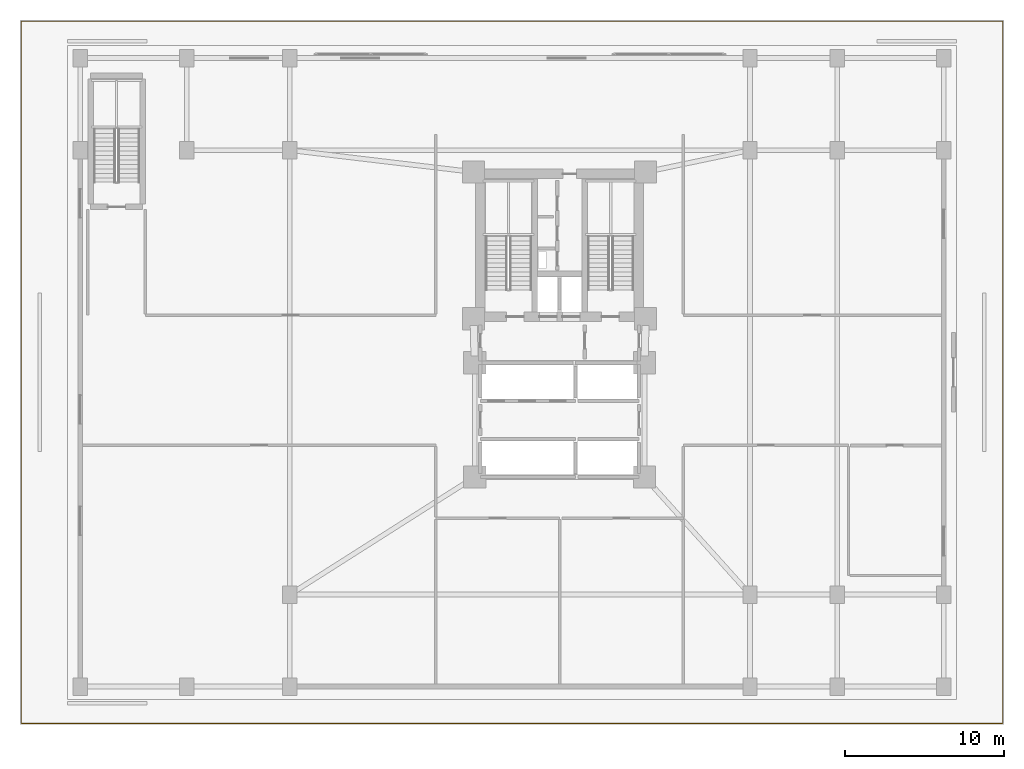
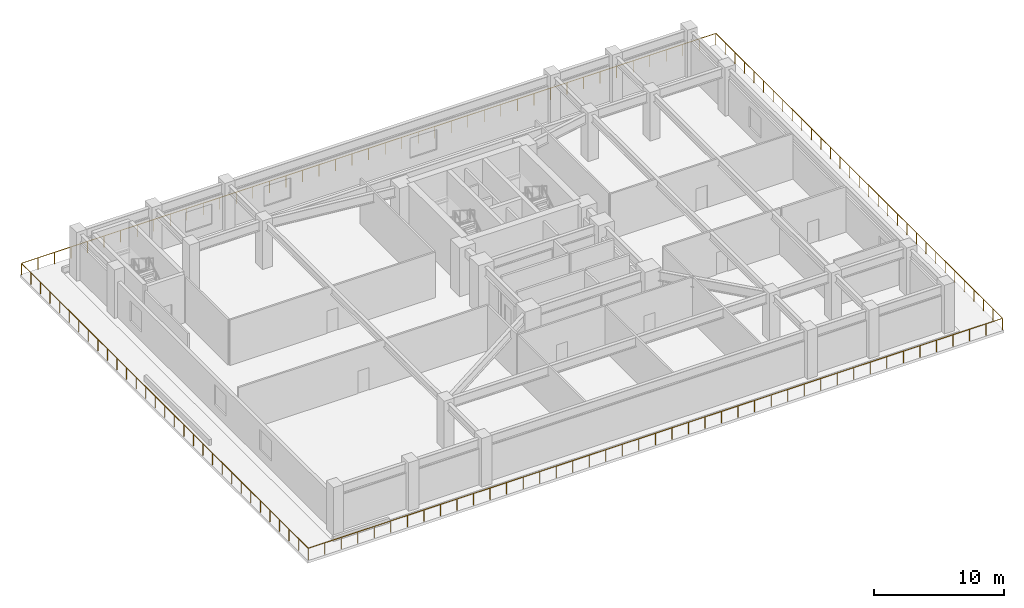
# One storey, part 8 of 9: 1 railing.
"""IFC4 building model written with IfcOpenShell, lengths in metres."""

from ifc_helpers import new_model, si_unit, direction, frame, origin, origin_2d, place, context, subcontext, project, spatial, rectangle, extrude, material, type_object, element, save


model = new_model("IFC4")

# Units and contexts
model_context = context("Model", 3, precision=1e-05, world=origin(), true_north=direction((0.0, 1.0)))
body_context = subcontext(model_context, "Body", "Model", "MODEL_VIEW")
ifc_project = project(units=[si_unit("LENGTHUNIT", "METRE"), si_unit("AREAUNIT", "SQUARE_METRE"), si_unit("VOLUMEUNIT", "CUBIC_METRE"), si_unit("PLANEANGLEUNIT", "RADIAN"), si_unit("MASSUNIT", "GRAM", prefix="KILO")], contexts=[model_context])

# Site, building, storey
site_placement = place(None, origin())
site = spatial("IfcSite", under=ifc_project, at=site_placement, CompositionType="ELEMENT")
building_placement = place(site_placement, origin())
building = spatial("IfcBuilding", under=site, at=building_placement, Name="Varnakorn Sky Granary", CompositionType="ELEMENT")
storey_placement = place(building_placement, frame((0.0, 0.0, 18.39990234375)))
storey = spatial("IfcBuildingStorey", under=building, at=storey_placement, Name="L04", CompositionType="ELEMENT", Elevation=18.39990234375)

# Railing
ifc_material = material(Name="Anodised Bronze Aluminium Alloy 6063-T6", Category="aluminium")
railing_type = type_object("IfcRailingType", Name="RL-BAL-1120", PredefinedType="BALUSTRADE", material=ifc_material)
railing_placement = place(storey_placement, frame((-30.919921875, -22.1201171875, 0.0)))
element("IfcRailing", 1, at=railing_placement, inside=storey, type_object=railing_type, Name="Cascading Terrace Guard Balustrade L04", PredefinedType="BALUSTRADE", context=body_context, shape_type="SweptSolid", body=[
    extrude(rectangle(XDim=0.048095703125, YDim=0.048095703125, at=origin_2d()), frame((0.028076171875, 0.0, 1.09619140625), z_axis=(1.0, 0.0, 0.0), x_axis=(0.0, 1.0, 0.0)), (0.0, 0.0, 1.0), 61.783935546875),
    extrude(rectangle(XDim=0.048095703125, YDim=0.048095703125, at=origin_2d()), frame((61.83984375, 0.028076171875, 1.09619140625), z_axis=(0.0, 1.0, 0.0), x_axis=(-1.0, 0.0, 0.0)), (0.0, 0.0, 1.0), 44.184326171875),
    extrude(rectangle(XDim=0.048095703125, YDim=0.048095703125, at=origin_2d()), frame((61.811767578125, 44.240234375, 1.09619140625), z_axis=(-1.0, 0.0, 0.0), x_axis=(0.0, -1.0, 0.0)), (0.0, 0.0, 1.0), 61.783935546875),
    extrude(rectangle(XDim=0.048095703125, YDim=0.048095703125, at=origin_2d()), frame((0.0, 44.212158203125, 1.09619140625), z_axis=(0.0, -1.0, 0.0), x_axis=(1.0, 0.0, 0.0)), (0.0, 0.0, 1.0), 44.184326171875),
    extrude(rectangle(XDim=0.0419921875, YDim=0.0419921875, at=origin_2d()), origin(), (0.0, 0.0, 1.0), 1.068115234375),
    extrude(rectangle(XDim=0.0419921875, YDim=0.0419921875, at=origin_2d()), frame((1.472412109375, 0.0, 0.0)), (0.0, 0.0, 1.0), 1.068115234375),
    extrude(rectangle(XDim=0.0419921875, YDim=0.0419921875, at=origin_2d()), frame((2.94482421875, 0.0, 0.0)), (0.0, 0.0, 1.0), 1.068115234375),
    extrude(rectangle(XDim=0.0419921875, YDim=0.0419921875, at=origin_2d()), frame((4.417236328125, 0.0, 0.0)), (0.0, 0.0, 1.0), 1.068115234375),
    extrude(rectangle(XDim=0.0419921875, YDim=0.0419921875, at=origin_2d()), frame((5.889404296875, 0.0, 0.0)), (0.0, 0.0, 1.0), 1.068115234375),
    extrude(rectangle(XDim=0.0419921875, YDim=0.0419921875, at=origin_2d()), frame((7.36181640625, 0.0, 0.0)), (0.0, 0.0, 1.0), 1.068115234375),
    extrude(rectangle(XDim=0.0419921875, YDim=0.0419921875, at=origin_2d()), frame((8.834228515625, 0.0, 0.0)), (0.0, 0.0, 1.0), 1.068115234375),
    extrude(rectangle(XDim=0.0419921875, YDim=0.0419921875, at=origin_2d()), frame((10.306640625, 0.0, 0.0)), (0.0, 0.0, 1.0), 1.068115234375),
    extrude(rectangle(XDim=0.0419921875, YDim=0.0419921875, at=origin_2d()), frame((11.779052734375, 0.0, 0.0)), (0.0, 0.0, 1.0), 1.068115234375),
    extrude(rectangle(XDim=0.0419921875, YDim=0.0419921875, at=origin_2d()), frame((13.25146484375, 0.0, 0.0)), (0.0, 0.0, 1.0), 1.068115234375),
    extrude(rectangle(XDim=0.0419921875, YDim=0.0419921875, at=origin_2d()), frame((14.723876953125, 0.0, 0.0)), (0.0, 0.0, 1.0), 1.068115234375),
    extrude(rectangle(XDim=0.0419921875, YDim=0.0419921875, at=origin_2d()), frame((16.196044921875, 0.0, 0.0)), (0.0, 0.0, 1.0), 1.068115234375),
    extrude(rectangle(XDim=0.0419921875, YDim=0.0419921875, at=origin_2d()), frame((17.66845703125, 0.0, 0.0)), (0.0, 0.0, 1.0), 1.068115234375),
    extrude(rectangle(XDim=0.0419921875, YDim=0.0419921875, at=origin_2d()), frame((19.140869140625, 0.0, 0.0)), (0.0, 0.0, 1.0), 1.068115234375),
    extrude(rectangle(XDim=0.0419921875, YDim=0.0419921875, at=origin_2d()), frame((20.61328125, 0.0, 0.0)), (0.0, 0.0, 1.0), 1.068115234375),
    extrude(rectangle(XDim=0.0419921875, YDim=0.0419921875, at=origin_2d()), frame((22.085693359375, 0.0, 0.0)), (0.0, 0.0, 1.0), 1.068115234375),
    extrude(rectangle(XDim=0.0419921875, YDim=0.0419921875, at=origin_2d()), frame((23.55810546875, 0.0, 0.0)), (0.0, 0.0, 1.0), 1.068115234375),
    extrude(rectangle(XDim=0.0419921875, YDim=0.0419921875, at=origin_2d()), frame((25.030517578125, 0.0, 0.0)), (0.0, 0.0, 1.0), 1.068115234375),
    extrude(rectangle(XDim=0.0419921875, YDim=0.0419921875, at=origin_2d()), frame((26.502685546875, 0.0, 0.0)), (0.0, 0.0, 1.0), 1.068115234375),
    extrude(rectangle(XDim=0.0419921875, YDim=0.0419921875, at=origin_2d()), frame((27.97509765625, 0.0, 0.0)), (0.0, 0.0, 1.0), 1.068115234375),
    extrude(rectangle(XDim=0.0419921875, YDim=0.0419921875, at=origin_2d()), frame((29.447509765625, 0.0, 0.0)), (0.0, 0.0, 1.0), 1.068115234375),
    extrude(rectangle(XDim=0.0419921875, YDim=0.0419921875, at=origin_2d()), frame((30.919921875, 0.0, 0.0)), (0.0, 0.0, 1.0), 1.068115234375),
    extrude(rectangle(XDim=0.0419921875, YDim=0.0419921875, at=origin_2d()), frame((32.392333984375, 0.0, 0.0)), (0.0, 0.0, 1.0), 1.068115234375),
    extrude(rectangle(XDim=0.0419921875, YDim=0.0419921875, at=origin_2d()), frame((33.86474609375, 0.0, 0.0)), (0.0, 0.0, 1.0), 1.068115234375),
    extrude(rectangle(XDim=0.0419921875, YDim=0.0419921875, at=origin_2d()), frame((35.337158203125, 0.0, 0.0)), (0.0, 0.0, 1.0), 1.068115234375),
    extrude(rectangle(XDim=0.0419921875, YDim=0.0419921875, at=origin_2d()), frame((36.809326171875, 0.0, 0.0)), (0.0, 0.0, 1.0), 1.068115234375),
    extrude(rectangle(XDim=0.0419921875, YDim=0.0419921875, at=origin_2d()), frame((38.28173828125, 0.0, 0.0)), (0.0, 0.0, 1.0), 1.068115234375),
    extrude(rectangle(XDim=0.0419921875, YDim=0.0419921875, at=origin_2d()), frame((39.754150390625, 0.0, 0.0)), (0.0, 0.0, 1.0), 1.068115234375),
    extrude(rectangle(XDim=0.0419921875, YDim=0.0419921875, at=origin_2d()), frame((41.2265625, 0.0, 0.0)), (0.0, 0.0, 1.0), 1.068115234375),
    extrude(rectangle(XDim=0.0419921875, YDim=0.0419921875, at=origin_2d()), frame((42.698974609375, 0.0, 0.0)), (0.0, 0.0, 1.0), 1.068115234375),
    extrude(rectangle(XDim=0.0419921875, YDim=0.0419921875, at=origin_2d()), frame((44.17138671875, 0.0, 0.0)), (0.0, 0.0, 1.0), 1.068115234375),
    extrude(rectangle(XDim=0.0419921875, YDim=0.0419921875, at=origin_2d()), frame((45.643798828125, 0.0, 0.0)), (0.0, 0.0, 1.0), 1.068115234375),
    extrude(rectangle(XDim=0.0419921875, YDim=0.0419921875, at=origin_2d()), frame((47.115966796875, 0.0, 0.0)), (0.0, 0.0, 1.0), 1.068115234375),
    extrude(rectangle(XDim=0.0419921875, YDim=0.0419921875, at=origin_2d()), frame((48.58837890625, 0.0, 0.0)), (0.0, 0.0, 1.0), 1.068115234375),
    extrude(rectangle(XDim=0.0419921875, YDim=0.0419921875, at=origin_2d()), frame((50.060791015625, 0.0, 0.0)), (0.0, 0.0, 1.0), 1.068115234375),
    extrude(rectangle(XDim=0.0419921875, YDim=0.0419921875, at=origin_2d()), frame((51.533203125, 0.0, 0.0)), (0.0, 0.0, 1.0), 1.068115234375),
    extrude(rectangle(XDim=0.0419921875, YDim=0.0419921875, at=origin_2d()), frame((53.005615234375, 0.0, 0.0)), (0.0, 0.0, 1.0), 1.068115234375),
    extrude(rectangle(XDim=0.0419921875, YDim=0.0419921875, at=origin_2d()), frame((54.47802734375, 0.0, 0.0)), (0.0, 0.0, 1.0), 1.068115234375),
    extrude(rectangle(XDim=0.0419921875, YDim=0.0419921875, at=origin_2d()), frame((55.950439453125, 0.0, 0.0)), (0.0, 0.0, 1.0), 1.068115234375),
    extrude(rectangle(XDim=0.0419921875, YDim=0.0419921875, at=origin_2d()), frame((57.422607421875, 0.0, 0.0)), (0.0, 0.0, 1.0), 1.068115234375),
    extrude(rectangle(XDim=0.0419921875, YDim=0.0419921875, at=origin_2d()), frame((58.89501953125, 0.0, 0.0)), (0.0, 0.0, 1.0), 1.068115234375),
    extrude(rectangle(XDim=0.0419921875, YDim=0.0419921875, at=origin_2d()), frame((60.367431640625, 0.0, 0.0)), (0.0, 0.0, 1.0), 1.068115234375),
    extrude(rectangle(XDim=0.0419921875, YDim=0.0419921875, at=origin_2d()), frame((61.83984375, 0.0, 0.0)), (0.0, 0.0, 1.0), 1.068115234375),
    extrude(rectangle(XDim=0.0419921875, YDim=0.0419921875, at=origin_2d()), frame((61.83984375, 1.474609375, 0.0)), (0.0, 0.0, 1.0), 1.068115234375),
    extrude(rectangle(XDim=0.0419921875, YDim=0.0419921875, at=origin_2d()), frame((61.83984375, 2.949462890625, 0.0)), (0.0, 0.0, 1.0), 1.068115234375),
    extrude(rectangle(XDim=0.0419921875, YDim=0.0419921875, at=origin_2d()), frame((61.83984375, 4.424072265625, 0.0)), (0.0, 0.0, 1.0), 1.068115234375),
    extrude(rectangle(XDim=0.0419921875, YDim=0.0419921875, at=origin_2d()), frame((61.83984375, 5.898681640625, 0.0)), (0.0, 0.0, 1.0), 1.068115234375),
    extrude(rectangle(XDim=0.0419921875, YDim=0.0419921875, at=origin_2d()), frame((61.83984375, 7.373291015625, 0.0)), (0.0, 0.0, 1.0), 1.068115234375),
    extrude(rectangle(XDim=0.0419921875, YDim=0.0419921875, at=origin_2d()), frame((61.83984375, 8.84814453125, 0.0)), (0.0, 0.0, 1.0), 1.068115234375),
    extrude(rectangle(XDim=0.0419921875, YDim=0.0419921875, at=origin_2d()), frame((61.83984375, 10.32275390625, 0.0)), (0.0, 0.0, 1.0), 1.068115234375),
    extrude(rectangle(XDim=0.0419921875, YDim=0.0419921875, at=origin_2d()), frame((61.83984375, 11.79736328125, 0.0)), (0.0, 0.0, 1.0), 1.068115234375),
    extrude(rectangle(XDim=0.0419921875, YDim=0.0419921875, at=origin_2d()), frame((61.83984375, 13.27197265625, 0.0)), (0.0, 0.0, 1.0), 1.068115234375),
    extrude(rectangle(XDim=0.0419921875, YDim=0.0419921875, at=origin_2d()), frame((61.83984375, 14.746826171875, 0.0)), (0.0, 0.0, 1.0), 1.068115234375),
    extrude(rectangle(XDim=0.0419921875, YDim=0.0419921875, at=origin_2d()), frame((61.83984375, 16.221435546875, 0.0)), (0.0, 0.0, 1.0), 1.068115234375),
    extrude(rectangle(XDim=0.0419921875, YDim=0.0419921875, at=origin_2d()), frame((61.83984375, 17.696044921875, 0.0)), (0.0, 0.0, 1.0), 1.068115234375),
    extrude(rectangle(XDim=0.0419921875, YDim=0.0419921875, at=origin_2d()), frame((61.83984375, 19.170654296875, 0.0)), (0.0, 0.0, 1.0), 1.068115234375),
    extrude(rectangle(XDim=0.0419921875, YDim=0.0419921875, at=origin_2d()), frame((61.83984375, 20.6455078125, 0.0)), (0.0, 0.0, 1.0), 1.068115234375),
    extrude(rectangle(XDim=0.0419921875, YDim=0.0419921875, at=origin_2d()), frame((61.83984375, 22.1201171875, 0.0)), (0.0, 0.0, 1.0), 1.068115234375),
    extrude(rectangle(XDim=0.0419921875, YDim=0.0419921875, at=origin_2d()), frame((61.83984375, 23.5947265625, 0.0)), (0.0, 0.0, 1.0), 1.068115234375),
    extrude(rectangle(XDim=0.0419921875, YDim=0.0419921875, at=origin_2d()), frame((61.83984375, 25.069580078125, 0.0)), (0.0, 0.0, 1.0), 1.068115234375),
    extrude(rectangle(XDim=0.0419921875, YDim=0.0419921875, at=origin_2d()), frame((61.83984375, 26.544189453125, 0.0)), (0.0, 0.0, 1.0), 1.068115234375),
    extrude(rectangle(XDim=0.0419921875, YDim=0.0419921875, at=origin_2d()), frame((61.83984375, 28.018798828125, 0.0)), (0.0, 0.0, 1.0), 1.068115234375),
    extrude(rectangle(XDim=0.0419921875, YDim=0.0419921875, at=origin_2d()), frame((61.83984375, 29.493408203125, 0.0)), (0.0, 0.0, 1.0), 1.068115234375),
    extrude(rectangle(XDim=0.0419921875, YDim=0.0419921875, at=origin_2d()), frame((61.83984375, 30.96826171875, 0.0)), (0.0, 0.0, 1.0), 1.068115234375),
    extrude(rectangle(XDim=0.0419921875, YDim=0.0419921875, at=origin_2d()), frame((61.83984375, 32.44287109375, 0.0)), (0.0, 0.0, 1.0), 1.068115234375),
    extrude(rectangle(XDim=0.0419921875, YDim=0.0419921875, at=origin_2d()), frame((61.83984375, 33.91748046875, 0.0)), (0.0, 0.0, 1.0), 1.068115234375),
    extrude(rectangle(XDim=0.0419921875, YDim=0.0419921875, at=origin_2d()), frame((61.83984375, 35.39208984375, 0.0)), (0.0, 0.0, 1.0), 1.068115234375),
    extrude(rectangle(XDim=0.0419921875, YDim=0.0419921875, at=origin_2d()), frame((61.83984375, 36.866943359375, 0.0)), (0.0, 0.0, 1.0), 1.068115234375),
    extrude(rectangle(XDim=0.0419921875, YDim=0.0419921875, at=origin_2d()), frame((61.83984375, 38.341552734375, 0.0)), (0.0, 0.0, 1.0), 1.068115234375),
    extrude(rectangle(XDim=0.0419921875, YDim=0.0419921875, at=origin_2d()), frame((61.83984375, 39.816162109375, 0.0)), (0.0, 0.0, 1.0), 1.068115234375),
    extrude(rectangle(XDim=0.0419921875, YDim=0.0419921875, at=origin_2d()), frame((61.83984375, 41.290771484375, 0.0)), (0.0, 0.0, 1.0), 1.068115234375),
    extrude(rectangle(XDim=0.0419921875, YDim=0.0419921875, at=origin_2d()), frame((61.83984375, 42.765625, 0.0)), (0.0, 0.0, 1.0), 1.068115234375),
    extrude(rectangle(XDim=0.0419921875, YDim=0.0419921875, at=origin_2d()), frame((61.83984375, 44.240234375, 0.0)), (0.0, 0.0, 1.0), 1.068115234375),
    extrude(rectangle(XDim=0.0419921875, YDim=0.0419921875, at=origin_2d()), frame((60.367431640625, 44.240234375, 0.0)), (0.0, 0.0, 1.0), 1.068115234375),
    extrude(rectangle(XDim=0.0419921875, YDim=0.0419921875, at=origin_2d()), frame((58.89501953125, 44.240234375, 0.0)), (0.0, 0.0, 1.0), 1.068115234375),
    extrude(rectangle(XDim=0.0419921875, YDim=0.0419921875, at=origin_2d()), frame((57.422607421875, 44.240234375, 0.0)), (0.0, 0.0, 1.0), 1.068115234375),
    extrude(rectangle(XDim=0.0419921875, YDim=0.0419921875, at=origin_2d()), frame((55.950439453125, 44.240234375, 0.0)), (0.0, 0.0, 1.0), 1.068115234375),
    extrude(rectangle(XDim=0.0419921875, YDim=0.0419921875, at=origin_2d()), frame((54.47802734375, 44.240234375, 0.0)), (0.0, 0.0, 1.0), 1.068115234375),
    extrude(rectangle(XDim=0.0419921875, YDim=0.0419921875, at=origin_2d()), frame((53.005615234375, 44.240234375, 0.0)), (0.0, 0.0, 1.0), 1.068115234375),
    extrude(rectangle(XDim=0.0419921875, YDim=0.0419921875, at=origin_2d()), frame((51.533203125, 44.240234375, 0.0)), (0.0, 0.0, 1.0), 1.068115234375),
    extrude(rectangle(XDim=0.0419921875, YDim=0.0419921875, at=origin_2d()), frame((50.060791015625, 44.240234375, 0.0)), (0.0, 0.0, 1.0), 1.068115234375),
    extrude(rectangle(XDim=0.0419921875, YDim=0.0419921875, at=origin_2d()), frame((48.58837890625, 44.240234375, 0.0)), (0.0, 0.0, 1.0), 1.068115234375),
    extrude(rectangle(XDim=0.0419921875, YDim=0.0419921875, at=origin_2d()), frame((47.115966796875, 44.240234375, 0.0)), (0.0, 0.0, 1.0), 1.068115234375),
    extrude(rectangle(XDim=0.0419921875, YDim=0.0419921875, at=origin_2d()), frame((45.643798828125, 44.240234375, 0.0)), (0.0, 0.0, 1.0), 1.068115234375),
    extrude(rectangle(XDim=0.0419921875, YDim=0.0419921875, at=origin_2d()), frame((44.17138671875, 44.240234375, 0.0)), (0.0, 0.0, 1.0), 1.068115234375),
    extrude(rectangle(XDim=0.0419921875, YDim=0.0419921875, at=origin_2d()), frame((42.698974609375, 44.240234375, 0.0)), (0.0, 0.0, 1.0), 1.068115234375),
    extrude(rectangle(XDim=0.0419921875, YDim=0.0419921875, at=origin_2d()), frame((41.2265625, 44.240234375, 0.0)), (0.0, 0.0, 1.0), 1.068115234375),
    extrude(rectangle(XDim=0.0419921875, YDim=0.0419921875, at=origin_2d()), frame((39.754150390625, 44.240234375, 0.0)), (0.0, 0.0, 1.0), 1.068115234375),
    extrude(rectangle(XDim=0.0419921875, YDim=0.0419921875, at=origin_2d()), frame((38.28173828125, 44.240234375, 0.0)), (0.0, 0.0, 1.0), 1.068115234375),
    extrude(rectangle(XDim=0.0419921875, YDim=0.0419921875, at=origin_2d()), frame((36.809326171875, 44.240234375, 0.0)), (0.0, 0.0, 1.0), 1.068115234375),
    extrude(rectangle(XDim=0.0419921875, YDim=0.0419921875, at=origin_2d()), frame((35.337158203125, 44.240234375, 0.0)), (0.0, 0.0, 1.0), 1.068115234375),
    extrude(rectangle(XDim=0.0419921875, YDim=0.0419921875, at=origin_2d()), frame((33.86474609375, 44.240234375, 0.0)), (0.0, 0.0, 1.0), 1.068115234375),
    extrude(rectangle(XDim=0.0419921875, YDim=0.0419921875, at=origin_2d()), frame((32.392333984375, 44.240234375, 0.0)), (0.0, 0.0, 1.0), 1.068115234375),
    extrude(rectangle(XDim=0.0419921875, YDim=0.0419921875, at=origin_2d()), frame((30.919921875, 44.240234375, 0.0)), (0.0, 0.0, 1.0), 1.068115234375),
    extrude(rectangle(XDim=0.0419921875, YDim=0.0419921875, at=origin_2d()), frame((29.447509765625, 44.240234375, 0.0)), (0.0, 0.0, 1.0), 1.068115234375),
    extrude(rectangle(XDim=0.0419921875, YDim=0.0419921875, at=origin_2d()), frame((27.97509765625, 44.240234375, 0.0)), (0.0, 0.0, 1.0), 1.068115234375),
    extrude(rectangle(XDim=0.0419921875, YDim=0.0419921875, at=origin_2d()), frame((26.502685546875, 44.240234375, 0.0)), (0.0, 0.0, 1.0), 1.068115234375),
    extrude(rectangle(XDim=0.0419921875, YDim=0.0419921875, at=origin_2d()), frame((25.030517578125, 44.240234375, 0.0)), (0.0, 0.0, 1.0), 1.068115234375),
    extrude(rectangle(XDim=0.0419921875, YDim=0.0419921875, at=origin_2d()), frame((23.55810546875, 44.240234375, 0.0)), (0.0, 0.0, 1.0), 1.068115234375),
    extrude(rectangle(XDim=0.0419921875, YDim=0.0419921875, at=origin_2d()), frame((22.085693359375, 44.240234375, 0.0)), (0.0, 0.0, 1.0), 1.068115234375),
    extrude(rectangle(XDim=0.0419921875, YDim=0.0419921875, at=origin_2d()), frame((20.61328125, 44.240234375, 0.0)), (0.0, 0.0, 1.0), 1.068115234375),
    extrude(rectangle(XDim=0.0419921875, YDim=0.0419921875, at=origin_2d()), frame((19.140869140625, 44.240234375, 0.0)), (0.0, 0.0, 1.0), 1.068115234375),
    extrude(rectangle(XDim=0.0419921875, YDim=0.0419921875, at=origin_2d()), frame((17.66845703125, 44.240234375, 0.0)), (0.0, 0.0, 1.0), 1.068115234375),
    extrude(rectangle(XDim=0.0419921875, YDim=0.0419921875, at=origin_2d()), frame((16.196044921875, 44.240234375, 0.0)), (0.0, 0.0, 1.0), 1.068115234375),
    extrude(rectangle(XDim=0.0419921875, YDim=0.0419921875, at=origin_2d()), frame((14.723876953125, 44.240234375, 0.0)), (0.0, 0.0, 1.0), 1.068115234375),
    extrude(rectangle(XDim=0.0419921875, YDim=0.0419921875, at=origin_2d()), frame((13.25146484375, 44.240234375, 0.0)), (0.0, 0.0, 1.0), 1.068115234375),
    extrude(rectangle(XDim=0.0419921875, YDim=0.0419921875, at=origin_2d()), frame((11.779052734375, 44.240234375, 0.0)), (0.0, 0.0, 1.0), 1.068115234375),
    extrude(rectangle(XDim=0.0419921875, YDim=0.0419921875, at=origin_2d()), frame((10.306640625, 44.240234375, 0.0)), (0.0, 0.0, 1.0), 1.068115234375),
    extrude(rectangle(XDim=0.0419921875, YDim=0.0419921875, at=origin_2d()), frame((8.834228515625, 44.240234375, 0.0)), (0.0, 0.0, 1.0), 1.068115234375),
    extrude(rectangle(XDim=0.0419921875, YDim=0.0419921875, at=origin_2d()), frame((7.36181640625, 44.240234375, 0.0)), (0.0, 0.0, 1.0), 1.068115234375),
    extrude(rectangle(XDim=0.0419921875, YDim=0.0419921875, at=origin_2d()), frame((5.889404296875, 44.240234375, 0.0)), (0.0, 0.0, 1.0), 1.068115234375),
    extrude(rectangle(XDim=0.0419921875, YDim=0.0419921875, at=origin_2d()), frame((4.417236328125, 44.240234375, 0.0)), (0.0, 0.0, 1.0), 1.068115234375),
    extrude(rectangle(XDim=0.0419921875, YDim=0.0419921875, at=origin_2d()), frame((2.94482421875, 44.240234375, 0.0)), (0.0, 0.0, 1.0), 1.068115234375),
    extrude(rectangle(XDim=0.0419921875, YDim=0.0419921875, at=origin_2d()), frame((1.472412109375, 44.240234375, 0.0)), (0.0, 0.0, 1.0), 1.068115234375),
    extrude(rectangle(XDim=0.0419921875, YDim=0.0419921875, at=origin_2d()), frame((0.0, 44.240234375, 0.0)), (0.0, 0.0, 1.0), 1.068115234375),
    extrude(rectangle(XDim=0.0419921875, YDim=0.0419921875, at=origin_2d()), frame((0.0, 42.765625, 0.0)), (0.0, 0.0, 1.0), 1.068115234375),
    extrude(rectangle(XDim=0.0419921875, YDim=0.0419921875, at=origin_2d()), frame((0.0, 41.290771484375, 0.0)), (0.0, 0.0, 1.0), 1.068115234375),
    extrude(rectangle(XDim=0.0419921875, YDim=0.0419921875, at=origin_2d()), frame((0.0, 39.816162109375, 0.0)), (0.0, 0.0, 1.0), 1.068115234375),
    extrude(rectangle(XDim=0.0419921875, YDim=0.0419921875, at=origin_2d()), frame((0.0, 38.341552734375, 0.0)), (0.0, 0.0, 1.0), 1.068115234375),
    extrude(rectangle(XDim=0.0419921875, YDim=0.0419921875, at=origin_2d()), frame((0.0, 36.866943359375, 0.0)), (0.0, 0.0, 1.0), 1.068115234375),
    extrude(rectangle(XDim=0.0419921875, YDim=0.0419921875, at=origin_2d()), frame((0.0, 35.39208984375, 0.0)), (0.0, 0.0, 1.0), 1.068115234375),
    extrude(rectangle(XDim=0.0419921875, YDim=0.0419921875, at=origin_2d()), frame((0.0, 33.91748046875, 0.0)), (0.0, 0.0, 1.0), 1.068115234375),
    extrude(rectangle(XDim=0.0419921875, YDim=0.0419921875, at=origin_2d()), frame((0.0, 32.44287109375, 0.0)), (0.0, 0.0, 1.0), 1.068115234375),
    extrude(rectangle(XDim=0.0419921875, YDim=0.0419921875, at=origin_2d()), frame((0.0, 30.96826171875, 0.0)), (0.0, 0.0, 1.0), 1.068115234375),
    extrude(rectangle(XDim=0.0419921875, YDim=0.0419921875, at=origin_2d()), frame((0.0, 29.493408203125, 0.0)), (0.0, 0.0, 1.0), 1.068115234375),
    extrude(rectangle(XDim=0.0419921875, YDim=0.0419921875, at=origin_2d()), frame((0.0, 28.018798828125, 0.0)), (0.0, 0.0, 1.0), 1.068115234375),
    extrude(rectangle(XDim=0.0419921875, YDim=0.0419921875, at=origin_2d()), frame((0.0, 26.544189453125, 0.0)), (0.0, 0.0, 1.0), 1.068115234375),
    extrude(rectangle(XDim=0.0419921875, YDim=0.0419921875, at=origin_2d()), frame((0.0, 25.069580078125, 0.0)), (0.0, 0.0, 1.0), 1.068115234375),
    extrude(rectangle(XDim=0.0419921875, YDim=0.0419921875, at=origin_2d()), frame((0.0, 23.5947265625, 0.0)), (0.0, 0.0, 1.0), 1.068115234375),
    extrude(rectangle(XDim=0.0419921875, YDim=0.0419921875, at=origin_2d()), frame((0.0, 22.1201171875, 0.0)), (0.0, 0.0, 1.0), 1.068115234375),
    extrude(rectangle(XDim=0.0419921875, YDim=0.0419921875, at=origin_2d()), frame((0.0, 20.6455078125, 0.0)), (0.0, 0.0, 1.0), 1.068115234375),
    extrude(rectangle(XDim=0.0419921875, YDim=0.0419921875, at=origin_2d()), frame((0.0, 19.170654296875, 0.0)), (0.0, 0.0, 1.0), 1.068115234375),
    extrude(rectangle(XDim=0.0419921875, YDim=0.0419921875, at=origin_2d()), frame((0.0, 17.696044921875, 0.0)), (0.0, 0.0, 1.0), 1.068115234375),
    extrude(rectangle(XDim=0.0419921875, YDim=0.0419921875, at=origin_2d()), frame((0.0, 16.221435546875, 0.0)), (0.0, 0.0, 1.0), 1.068115234375),
    extrude(rectangle(XDim=0.0419921875, YDim=0.0419921875, at=origin_2d()), frame((0.0, 14.746826171875, 0.0)), (0.0, 0.0, 1.0), 1.068115234375),
    extrude(rectangle(XDim=0.0419921875, YDim=0.0419921875, at=origin_2d()), frame((0.0, 13.27197265625, 0.0)), (0.0, 0.0, 1.0), 1.068115234375),
    extrude(rectangle(XDim=0.0419921875, YDim=0.0419921875, at=origin_2d()), frame((0.0, 11.79736328125, 0.0)), (0.0, 0.0, 1.0), 1.068115234375),
    extrude(rectangle(XDim=0.0419921875, YDim=0.0419921875, at=origin_2d()), frame((0.0, 10.32275390625, 0.0)), (0.0, 0.0, 1.0), 1.068115234375),
    extrude(rectangle(XDim=0.0419921875, YDim=0.0419921875, at=origin_2d()), frame((0.0, 8.84814453125, 0.0)), (0.0, 0.0, 1.0), 1.068115234375),
    extrude(rectangle(XDim=0.0419921875, YDim=0.0419921875, at=origin_2d()), frame((0.0, 7.373291015625, 0.0)), (0.0, 0.0, 1.0), 1.068115234375),
    extrude(rectangle(XDim=0.0419921875, YDim=0.0419921875, at=origin_2d()), frame((0.0, 5.898681640625, 0.0)), (0.0, 0.0, 1.0), 1.068115234375),
    extrude(rectangle(XDim=0.0419921875, YDim=0.0419921875, at=origin_2d()), frame((0.0, 4.424072265625, 0.0)), (0.0, 0.0, 1.0), 1.068115234375),
    extrude(rectangle(XDim=0.0419921875, YDim=0.0419921875, at=origin_2d()), frame((0.0, 2.949462890625, 0.0)), (0.0, 0.0, 1.0), 1.068115234375),
    extrude(rectangle(XDim=0.0419921875, YDim=0.0419921875, at=origin_2d()), frame((0.0, 1.474609375, 0.0)), (0.0, 0.0, 1.0), 1.068115234375),
])

save(model, "model.ifc")
